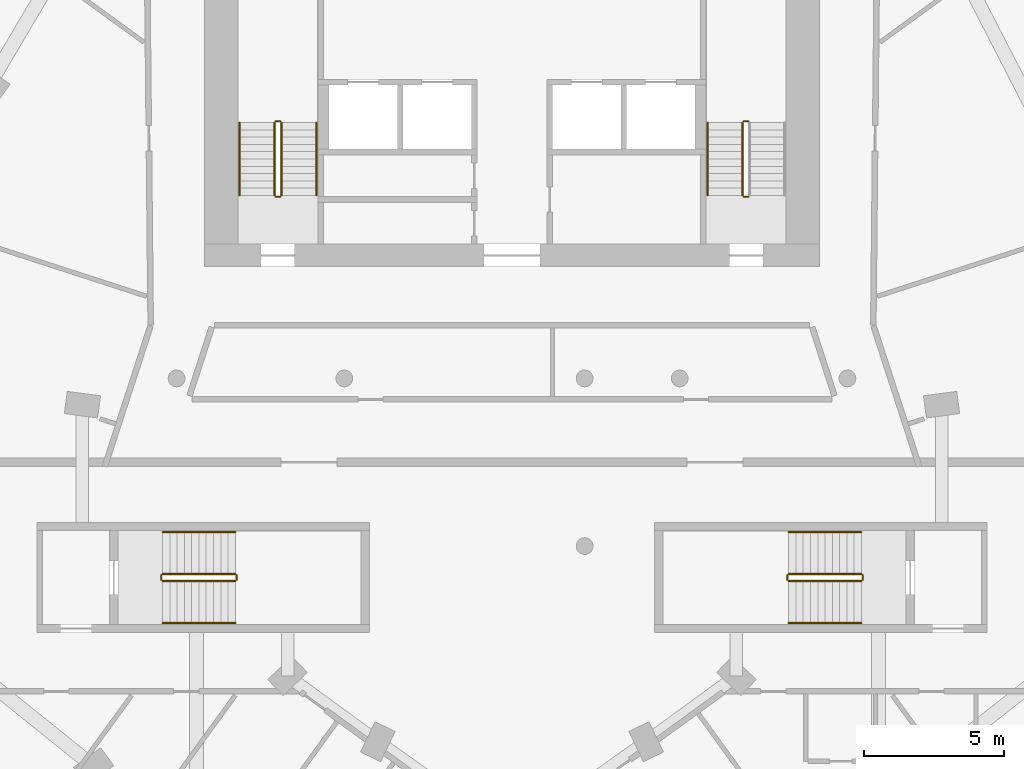
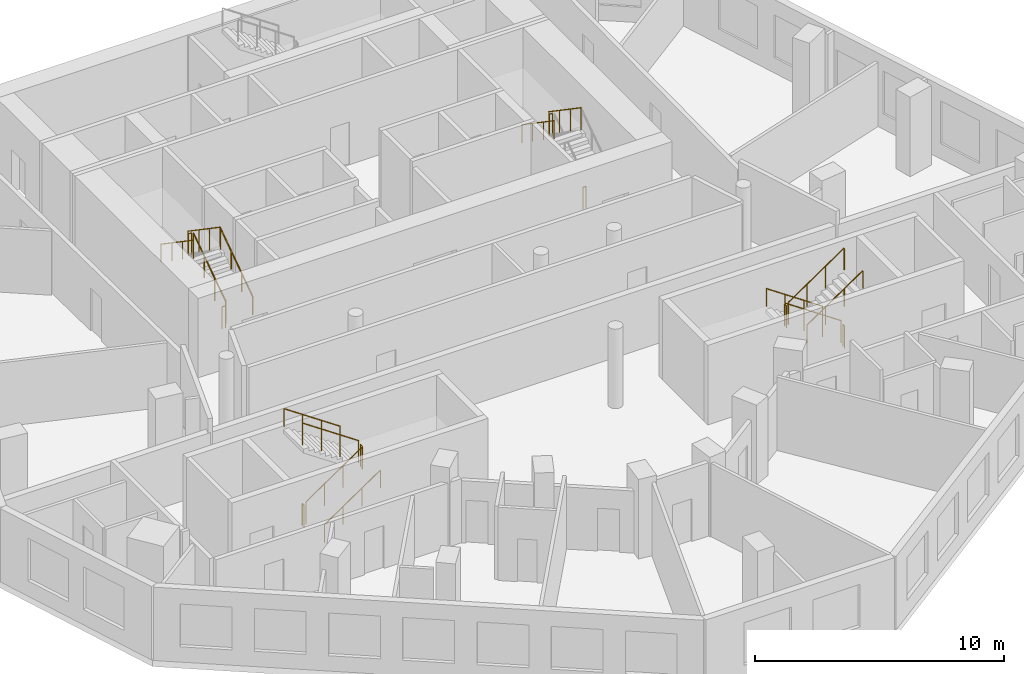
# One storey, part 8 of 9: 22 railings.
"""IFC4 building model written with IfcOpenShell, lengths in metres."""

from ifc_helpers import new_model, si_unit, direction, frame, origin, origin_2d, place, context, subcontext, project, spatial, circle, extrude, material, type_object, element, save


model = new_model("IFC4")

# Units and contexts
model_context = context("Model", 3, precision=1e-05, world=origin(), true_north=direction((0.0, 1.0)))
body_context = subcontext(model_context, "Body", "Model", "MODEL_VIEW")
ifc_project = project(units=[si_unit("LENGTHUNIT", "METRE"), si_unit("AREAUNIT", "SQUARE_METRE"), si_unit("VOLUMEUNIT", "CUBIC_METRE"), si_unit("PLANEANGLEUNIT", "RADIAN"), si_unit("MASSUNIT", "GRAM", prefix="KILO")], contexts=[model_context])

# Site, building, storey
site_placement = place(None, origin())
site = spatial("IfcSite", under=ifc_project, at=site_placement, CompositionType="ELEMENT")
building_placement = place(site_placement, origin())
building = spatial("IfcBuilding", under=site, at=building_placement, Name="White Candle Pilgrim Tower", CompositionType="ELEMENT")
storey_placement = place(building_placement, frame((0.0, 0.0, 200.39990234375)))
storey = spatial("IfcBuildingStorey", under=building, at=storey_placement, Name="L46", CompositionType="ELEMENT", Elevation=200.39990234375)

# Railings
ifc_material = material(Name="Stainless steel", Category="steel")
railing_type_1 = type_object("IfcRailingType", Name="Stair guard stainless steel 1100 mm", PredefinedType="GUARDRAIL", material=ifc_material)
railing_1_placement = place(storey_placement, frame((61.75, 73.550048828125, 0.177490234375)))
element("IfcRailing", 1, at=railing_1_placement, inside=storey, type_object=railing_type_1, Name="L46 ST1 stair guard 1", PredefinedType="GUARDRAIL", context=body_context, shape_type="SweptSolid", body=[
    extrude(circle(Radius=0.02392578125, at=origin_2d()), frame((0.0, 0.0, 1.076171875), z_axis=(0.0, 0.826215852431, 0.563353676824), x_axis=(-1.0, 0.0, 0.0)), (0.0, 0.0, 1.0), 3.146728515625),
    extrude(circle(Radius=0.02099609375, at=origin_2d()), origin(), (0.0, 0.0, 1.0), 1.052001953125),
    extrude(circle(Radius=0.02099609375, at=origin_2d()), frame((0.0, 0.86669921875, 0.5908203125)), (0.0, 0.0, 1.0), 1.052001953125),
    extrude(circle(Radius=0.02099609375, at=origin_2d()), frame((0.0, 1.733154296875, 1.181884765625)), (0.0, 0.0, 1.0), 1.052001953125),
    extrude(circle(Radius=0.02099609375, at=origin_2d()), frame((0.0, 2.599853515625, 1.772705078125)), (0.0, 0.0, 1.0), 1.052001953125),
])
railing_2_placement = place(storey_placement, frame((61.699951171875, 76.199951171875, 1.9501953125)))
element("IfcRailing", 2, at=railing_2_placement, inside=storey, type_object=railing_type_1, Name="L46 ST1 stair guard 2", PredefinedType="GUARDRAIL", context=body_context, shape_type="SweptSolid", body=[
    extrude(circle(Radius=0.02392578125, at=origin_2d()), frame((0.0, 0.0, 1.076171875), z_axis=(-1.0, 0.0, 0.0), x_axis=(0.0, -1.0, 0.0)), (0.0, 0.0, 1.0), 0.14990234375),
    extrude(circle(Radius=0.02099609375, at=origin_2d()), origin(), (0.0, 0.0, 1.0), 1.052001953125),
    extrude(circle(Radius=0.02099609375, at=origin_2d()), frame((-0.14990234375, 0.0, 0.0)), (0.0, 0.0, 1.0), 1.052001953125),
])
railing_3_placement = place(storey_placement, frame((61.5, 76.14990234375, 2.12744140625)))
element("IfcRailing", 3, at=railing_3_placement, inside=storey, type_object=railing_type_1, Name="L46 ST1 stair guard 3", PredefinedType="GUARDRAIL", context=body_context, shape_type="SweptSolid", body=[
    extrude(circle(Radius=0.02392578125, at=origin_2d()), frame((0.0, 0.0, 1.076171875), z_axis=(0.0, -0.826215852431, 0.563353676824), x_axis=(1.0, 0.0, 0.0)), (0.0, 0.0, 1.0), 3.146728515625),
    extrude(circle(Radius=0.02099609375, at=origin_2d()), origin(), (0.0, 0.0, 1.0), 1.052001953125),
    extrude(circle(Radius=0.02099609375, at=origin_2d()), frame((0.0, -0.86669921875, 0.5908203125)), (0.0, 0.0, 1.0), 1.052001953125),
    extrude(circle(Radius=0.02099609375, at=origin_2d()), frame((0.0, -1.733154296875, 1.181884765625)), (0.0, 0.0, 1.0), 1.052001953125),
    extrude(circle(Radius=0.02099609375, at=origin_2d()), frame((0.0, -2.599853515625, 1.772705078125)), (0.0, 0.0, 1.0), 1.052001953125),
])
for number, where, name in (
    (4, (61.699951171875, 73.5, 0.0), "L46 ST1 stair guard 4"),
    (5, (78.449951171875, 76.199951171875, 1.9501953125), "L46 ST2 stair guard 2"),
):
    element("IfcRailing", number, at=place(storey_placement, frame(where)), inside=storey, type_object=railing_type_1, Name=name, PredefinedType="GUARDRAIL", context=body_context, shape_type="SweptSolid", body=[
        extrude(circle(Radius=0.02392578125, at=origin_2d()), frame((0.0, 0.0, 1.076171875), z_axis=(-1.0, 0.0, 0.0), x_axis=(0.0, -1.0, 0.0)), (0.0, 0.0, 1.0), 0.14990234375),
        extrude(circle(Radius=0.02099609375, at=origin_2d()), origin(), (0.0, 0.0, 1.0), 1.052001953125),
        extrude(circle(Radius=0.02099609375, at=origin_2d()), frame((-0.14990234375, 0.0, 0.0)), (0.0, 0.0, 1.0), 1.052001953125),
    ])
railing_4_placement = place(storey_placement, frame((78.25, 76.14990234375, 2.12744140625)))
element("IfcRailing", 6, at=railing_4_placement, inside=storey, type_object=railing_type_1, Name="L46 ST2 stair guard 3", PredefinedType="GUARDRAIL", context=body_context, shape_type="SweptSolid", body=[
    extrude(circle(Radius=0.02392578125, at=origin_2d()), frame((0.0, 0.0, 1.076171875), z_axis=(0.0, -0.826215852431, 0.563353676824), x_axis=(1.0, 0.0, 0.0)), (0.0, 0.0, 1.0), 3.146728515625),
    extrude(circle(Radius=0.02099609375, at=origin_2d()), origin(), (0.0, 0.0, 1.0), 1.052001953125),
    extrude(circle(Radius=0.02099609375, at=origin_2d()), frame((0.0, -0.86669921875, 0.5908203125)), (0.0, 0.0, 1.0), 1.052001953125),
    extrude(circle(Radius=0.02099609375, at=origin_2d()), frame((0.0, -1.733154296875, 1.181884765625)), (0.0, 0.0, 1.0), 1.052001953125),
    extrude(circle(Radius=0.02099609375, at=origin_2d()), frame((0.0, -2.599853515625, 1.772705078125)), (0.0, 0.0, 1.0), 1.052001953125),
])
railing_5_placement = place(storey_placement, frame((78.449951171875, 73.5, 0.0)))
element("IfcRailing", 7, at=railing_5_placement, inside=storey, type_object=railing_type_1, Name="L46 ST2 stair guard 4", PredefinedType="GUARDRAIL", context=body_context, shape_type="SweptSolid", body=[
    extrude(circle(Radius=0.02392578125, at=origin_2d()), frame((0.0, 0.0, 1.076171875), z_axis=(-1.0, 0.0, 0.0), x_axis=(0.0, -1.0, 0.0)), (0.0, 0.0, 1.0), 0.14990234375),
    extrude(circle(Radius=0.02099609375, at=origin_2d()), origin(), (0.0, 0.0, 1.0), 1.052001953125),
    extrude(circle(Radius=0.02099609375, at=origin_2d()), frame((-0.14990234375, 0.0, 0.0)), (0.0, 0.0, 1.0), 1.052001953125),
])
railing_6_placement = place(storey_placement, frame((82.5, 60.0, 0.177490234375)))
element("IfcRailing", 8, at=railing_6_placement, inside=storey, type_object=railing_type_1, Name="L46 ST4 stair guard 1", PredefinedType="GUARDRAIL", context=body_context, shape_type="SweptSolid", body=[
    extrude(circle(Radius=0.02392578125, at=origin_2d()), frame((0.0, 0.0, 1.076171875), z_axis=(-0.826240473404, 0.0, 0.563317565952), x_axis=(0.0, -1.0, 0.0)), (0.0, 0.0, 1.0), 3.14697265625),
    extrude(circle(Radius=0.02099609375, at=origin_2d()), origin(), (0.0, 0.0, 1.0), 1.052001953125),
    extrude(circle(Radius=0.02099609375, at=origin_2d()), frame((-0.86669921875, 0.0, 0.5908203125)), (0.0, 0.0, 1.0), 1.052001953125),
    extrude(circle(Radius=0.02099609375, at=origin_2d()), frame((-1.7333984375, 0.0, 1.181884765625)), (0.0, 0.0, 1.0), 1.052001953125),
    extrude(circle(Radius=0.02099609375, at=origin_2d()), frame((-2.60009765625, 0.0, 1.772705078125)), (0.0, 0.0, 1.0), 1.052001953125),
])
railing_7_placement = place(storey_placement, frame((79.85009765625, 59.949951171875, 1.9501953125)))
element("IfcRailing", 9, at=railing_7_placement, inside=storey, type_object=railing_type_1, Name="L46 ST4 stair guard 2", PredefinedType="GUARDRAIL", context=body_context, shape_type="SweptSolid", body=[
    extrude(circle(Radius=0.02392578125, at=origin_2d()), frame((0.0, 0.0, 1.076171875), z_axis=(0.0, -1.0, 0.0), x_axis=(1.0, 0.0, 0.0)), (0.0, 0.0, 1.0), 0.14990234375),
    extrude(circle(Radius=0.02099609375, at=origin_2d()), origin(), (0.0, 0.0, 1.0), 1.052001953125),
    extrude(circle(Radius=0.02099609375, at=origin_2d()), frame((0.0, -0.14990234375, 0.0)), (0.0, 0.0, 1.0), 1.052001953125),
])
railing_8_placement = place(storey_placement, frame((79.89990234375, 59.75, 2.12744140625)))
element("IfcRailing", 10, at=railing_8_placement, inside=storey, type_object=railing_type_1, Name="L46 ST4 stair guard 3", PredefinedType="GUARDRAIL", context=body_context, shape_type="SweptSolid", body=[
    extrude(circle(Radius=0.02392578125, at=origin_2d()), frame((0.0, 0.0, 1.076171875), z_axis=(0.826240473404, 0.0, 0.563317565952), x_axis=(0.0, 1.0, 0.0)), (0.0, 0.0, 1.0), 3.14697265625),
    extrude(circle(Radius=0.02099609375, at=origin_2d()), origin(), (0.0, 0.0, 1.0), 1.052001953125),
    extrude(circle(Radius=0.02099609375, at=origin_2d()), frame((0.86669921875, 0.0, 0.5908203125)), (0.0, 0.0, 1.0), 1.052001953125),
    extrude(circle(Radius=0.02099609375, at=origin_2d()), frame((1.7333984375, 0.0, 1.181884765625)), (0.0, 0.0, 1.0), 1.052001953125),
    extrude(circle(Radius=0.02099609375, at=origin_2d()), frame((2.60009765625, 0.0, 1.772705078125)), (0.0, 0.0, 1.0), 1.052001953125),
])
railing_9_placement = place(storey_placement, frame((82.550048828125, 59.949951171875, 0.0)))
element("IfcRailing", 11, at=railing_9_placement, inside=storey, type_object=railing_type_1, Name="L46 ST4 stair guard 4", PredefinedType="GUARDRAIL", context=body_context, shape_type="SweptSolid", body=[
    extrude(circle(Radius=0.02392578125, at=origin_2d()), frame((0.0, 0.0, 1.076171875), z_axis=(0.0, -1.0, 0.0), x_axis=(1.0, 0.0, 0.0)), (0.0, 0.0, 1.0), 0.14990234375),
    extrude(circle(Radius=0.02099609375, at=origin_2d()), origin(), (0.0, 0.0, 1.0), 1.052001953125),
    extrude(circle(Radius=0.02099609375, at=origin_2d()), frame((0.0, -0.14990234375, 0.0)), (0.0, 0.0, 1.0), 1.052001953125),
])
railing_10_placement = place(storey_placement, frame((57.5, 59.75, 0.177490234375)))
element("IfcRailing", 12, at=railing_10_placement, inside=storey, type_object=railing_type_1, Name="L46 ST5 stair guard 1", PredefinedType="GUARDRAIL", context=body_context, shape_type="SweptSolid", body=[
    extrude(circle(Radius=0.02392578125, at=origin_2d()), frame((0.0, 0.0, 1.076171875), z_axis=(0.826240473404, 0.0, 0.563317565952), x_axis=(0.0, 1.0, 0.0)), (0.0, 0.0, 1.0), 3.14697265625),
    extrude(circle(Radius=0.02099609375, at=origin_2d()), origin(), (0.0, 0.0, 1.0), 1.052001953125),
    extrude(circle(Radius=0.02099609375, at=origin_2d()), frame((0.86669921875, 0.0, 0.5908203125)), (0.0, 0.0, 1.0), 1.052001953125),
    extrude(circle(Radius=0.02099609375, at=origin_2d()), frame((1.7333984375, 0.0, 1.181884765625)), (0.0, 0.0, 1.0), 1.052001953125),
    extrude(circle(Radius=0.02099609375, at=origin_2d()), frame((2.60009765625, 0.0, 1.772705078125)), (0.0, 0.0, 1.0), 1.052001953125),
])
railing_11_placement = place(storey_placement, frame((60.14990234375, 59.800048828125, 1.9501953125)))
element("IfcRailing", 13, at=railing_11_placement, inside=storey, type_object=railing_type_1, Name="L46 ST5 stair guard 2", PredefinedType="GUARDRAIL", context=body_context, shape_type="SweptSolid", body=[
    extrude(circle(Radius=0.02392578125, at=origin_2d()), frame((0.0, 0.0, 1.076171875), z_axis=(0.0, 1.0, 0.0), x_axis=(-1.0, 0.0, 0.0)), (0.0, 0.0, 1.0), 0.14990234375),
    extrude(circle(Radius=0.02099609375, at=origin_2d()), origin(), (0.0, 0.0, 1.0), 1.052001953125),
    extrude(circle(Radius=0.02099609375, at=origin_2d()), frame((0.0, 0.14990234375, 0.0)), (0.0, 0.0, 1.0), 1.052001953125),
])
railing_12_placement = place(storey_placement, frame((60.10009765625, 60.0, 2.12744140625)))
element("IfcRailing", 14, at=railing_12_placement, inside=storey, type_object=railing_type_1, Name="L46 ST5 stair guard 3", PredefinedType="GUARDRAIL", context=body_context, shape_type="SweptSolid", body=[
    extrude(circle(Radius=0.02392578125, at=origin_2d()), frame((0.0, 0.0, 1.076171875), z_axis=(-0.826240473404, 0.0, 0.563317565952), x_axis=(0.0, -1.0, 0.0)), (0.0, 0.0, 1.0), 3.14697265625),
    extrude(circle(Radius=0.02099609375, at=origin_2d()), origin(), (0.0, 0.0, 1.0), 1.052001953125),
    extrude(circle(Radius=0.02099609375, at=origin_2d()), frame((-0.86669921875, 0.0, 0.5908203125)), (0.0, 0.0, 1.0), 1.052001953125),
    extrude(circle(Radius=0.02099609375, at=origin_2d()), frame((-1.7333984375, 0.0, 1.181884765625)), (0.0, 0.0, 1.0), 1.052001953125),
    extrude(circle(Radius=0.02099609375, at=origin_2d()), frame((-2.60009765625, 0.0, 1.772705078125)), (0.0, 0.0, 1.0), 1.052001953125),
])
railing_13_placement = place(storey_placement, frame((57.449951171875, 59.800048828125, 0.0)))
element("IfcRailing", 15, at=railing_13_placement, inside=storey, type_object=railing_type_1, Name="L46 ST5 stair guard 4", PredefinedType="GUARDRAIL", context=body_context, shape_type="SweptSolid", body=[
    extrude(circle(Radius=0.02392578125, at=origin_2d()), frame((0.0, 0.0, 1.076171875), z_axis=(0.0, 1.0, 0.0), x_axis=(-1.0, 0.0, 0.0)), (0.0, 0.0, 1.0), 0.14990234375),
    extrude(circle(Radius=0.02099609375, at=origin_2d()), origin(), (0.0, 0.0, 1.0), 1.052001953125),
    extrude(circle(Radius=0.02099609375, at=origin_2d()), frame((0.0, 0.14990234375, 0.0)), (0.0, 0.0, 1.0), 1.052001953125),
])
railing_type_2 = type_object("IfcRailingType", Name="Stair handrail stainless steel", PredefinedType="HANDRAIL", material=ifc_material)
railing_14_placement = place(storey_placement, frame((63.0, 73.550048828125, 0.177490234375)))
element("IfcRailing", 16, at=railing_14_placement, inside=storey, type_object=railing_type_2, Name="L46 ST1 stair handrail 1", PredefinedType="HANDRAIL", context=body_context, shape_type="SweptSolid", body=[
    extrude(circle(Radius=0.02392578125, at=origin_2d()), frame((0.0, 0.0, 0.8759765625), z_axis=(0.0, 0.826215852431, 0.563353676824), x_axis=(-1.0, 0.0, 0.0)), (0.0, 0.0, 1.0), 3.146728515625),
    extrude(circle(Radius=0.02099609375, at=origin_2d()), origin(), (0.0, 0.0, 1.0), 0.851806640625),
    extrude(circle(Radius=0.02099609375, at=origin_2d()), frame((0.0, 0.86669921875, 0.5908203125)), (0.0, 0.0, 1.0), 0.851806640625),
    extrude(circle(Radius=0.02099609375, at=origin_2d()), frame((0.0, 1.733154296875, 1.181884765625)), (0.0, 0.0, 1.0), 0.851806640625),
    extrude(circle(Radius=0.02099609375, at=origin_2d()), frame((0.0, 2.599853515625, 1.772705078125)), (0.0, 0.0, 1.0), 0.851806640625),
])
for number, where, name in (
    (17, (60.25, 76.14990234375, 2.12744140625), "L46 ST1 stair handrail 2"),
    (18, (77.0, 76.14990234375, 2.12744140625), "L46 ST2 stair handrail 2"),
):
    element("IfcRailing", number, at=place(storey_placement, frame(where)), inside=storey, type_object=railing_type_2, Name=name, PredefinedType="HANDRAIL", context=body_context, shape_type="SweptSolid", body=[
        extrude(circle(Radius=0.02392578125, at=origin_2d()), frame((0.0, 0.0, 0.8759765625), z_axis=(0.0, -0.826215852431, 0.563353676824), x_axis=(1.0, 0.0, 0.0)), (0.0, 0.0, 1.0), 3.146728515625),
        extrude(circle(Radius=0.02099609375, at=origin_2d()), origin(), (0.0, 0.0, 1.0), 0.851806640625),
        extrude(circle(Radius=0.02099609375, at=origin_2d()), frame((0.0, -0.86669921875, 0.5908203125)), (0.0, 0.0, 1.0), 0.851806640625),
        extrude(circle(Radius=0.02099609375, at=origin_2d()), frame((0.0, -1.733154296875, 1.181884765625)), (0.0, 0.0, 1.0), 0.851806640625),
        extrude(circle(Radius=0.02099609375, at=origin_2d()), frame((0.0, -2.599853515625, 1.772705078125)), (0.0, 0.0, 1.0), 0.851806640625),
    ])
railing_15_placement = place(storey_placement, frame((82.5, 61.5, 0.177490234375)))
element("IfcRailing", 19, at=railing_15_placement, inside=storey, type_object=railing_type_2, Name="L46 ST4 stair handrail 1", PredefinedType="HANDRAIL", context=body_context, shape_type="SweptSolid", body=[
    extrude(circle(Radius=0.02392578125, at=origin_2d()), frame((0.0, 0.0, 0.8759765625), z_axis=(-0.826240473404, 0.0, 0.563317565952), x_axis=(0.0, -1.0, 0.0)), (0.0, 0.0, 1.0), 3.14697265625),
    extrude(circle(Radius=0.02099609375, at=origin_2d()), origin(), (0.0, 0.0, 1.0), 0.851806640625),
    extrude(circle(Radius=0.02099609375, at=origin_2d()), frame((-0.86669921875, 0.0, 0.5908203125)), (0.0, 0.0, 1.0), 0.851806640625),
    extrude(circle(Radius=0.02099609375, at=origin_2d()), frame((-1.7333984375, 0.0, 1.181884765625)), (0.0, 0.0, 1.0), 0.851806640625),
    extrude(circle(Radius=0.02099609375, at=origin_2d()), frame((-2.60009765625, 0.0, 1.772705078125)), (0.0, 0.0, 1.0), 0.851806640625),
])
for number, where, name in (
    (20, (79.89990234375, 58.25, 2.12744140625), "L46 ST4 stair handrail 2"),
    (21, (57.5, 58.25, 0.177490234375), "L46 ST5 stair handrail 1"),
):
    element("IfcRailing", number, at=place(storey_placement, frame(where)), inside=storey, type_object=railing_type_2, Name=name, PredefinedType="HANDRAIL", context=body_context, shape_type="SweptSolid", body=[
        extrude(circle(Radius=0.02392578125, at=origin_2d()), frame((0.0, 0.0, 0.8759765625), z_axis=(0.826240473404, 0.0, 0.563317565952), x_axis=(0.0, 1.0, 0.0)), (0.0, 0.0, 1.0), 3.14697265625),
        extrude(circle(Radius=0.02099609375, at=origin_2d()), origin(), (0.0, 0.0, 1.0), 0.851806640625),
        extrude(circle(Radius=0.02099609375, at=origin_2d()), frame((0.86669921875, 0.0, 0.5908203125)), (0.0, 0.0, 1.0), 0.851806640625),
        extrude(circle(Radius=0.02099609375, at=origin_2d()), frame((1.7333984375, 0.0, 1.181884765625)), (0.0, 0.0, 1.0), 0.851806640625),
        extrude(circle(Radius=0.02099609375, at=origin_2d()), frame((2.60009765625, 0.0, 1.772705078125)), (0.0, 0.0, 1.0), 0.851806640625),
    ])
railing_16_placement = place(storey_placement, frame((60.10009765625, 61.5, 2.12744140625)))
element("IfcRailing", 22, at=railing_16_placement, inside=storey, type_object=railing_type_2, Name="L46 ST5 stair handrail 2", PredefinedType="HANDRAIL", context=body_context, shape_type="SweptSolid", body=[
    extrude(circle(Radius=0.02392578125, at=origin_2d()), frame((0.0, 0.0, 0.8759765625), z_axis=(-0.826240473404, 0.0, 0.563317565952), x_axis=(0.0, -1.0, 0.0)), (0.0, 0.0, 1.0), 3.14697265625),
    extrude(circle(Radius=0.02099609375, at=origin_2d()), origin(), (0.0, 0.0, 1.0), 0.851806640625),
    extrude(circle(Radius=0.02099609375, at=origin_2d()), frame((-0.86669921875, 0.0, 0.5908203125)), (0.0, 0.0, 1.0), 0.851806640625),
    extrude(circle(Radius=0.02099609375, at=origin_2d()), frame((-1.7333984375, 0.0, 1.181884765625)), (0.0, 0.0, 1.0), 0.851806640625),
    extrude(circle(Radius=0.02099609375, at=origin_2d()), frame((-2.60009765625, 0.0, 1.772705078125)), (0.0, 0.0, 1.0), 0.851806640625),
])

save(model, "model.ifc")
